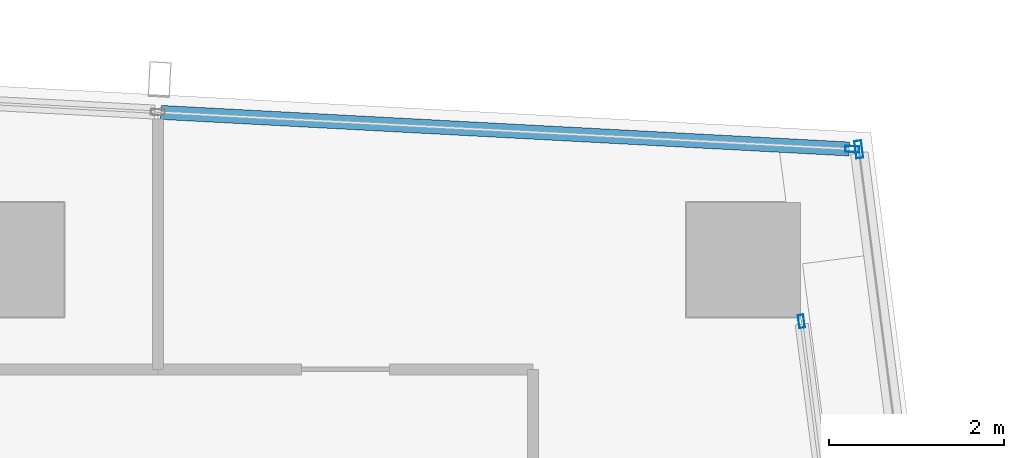
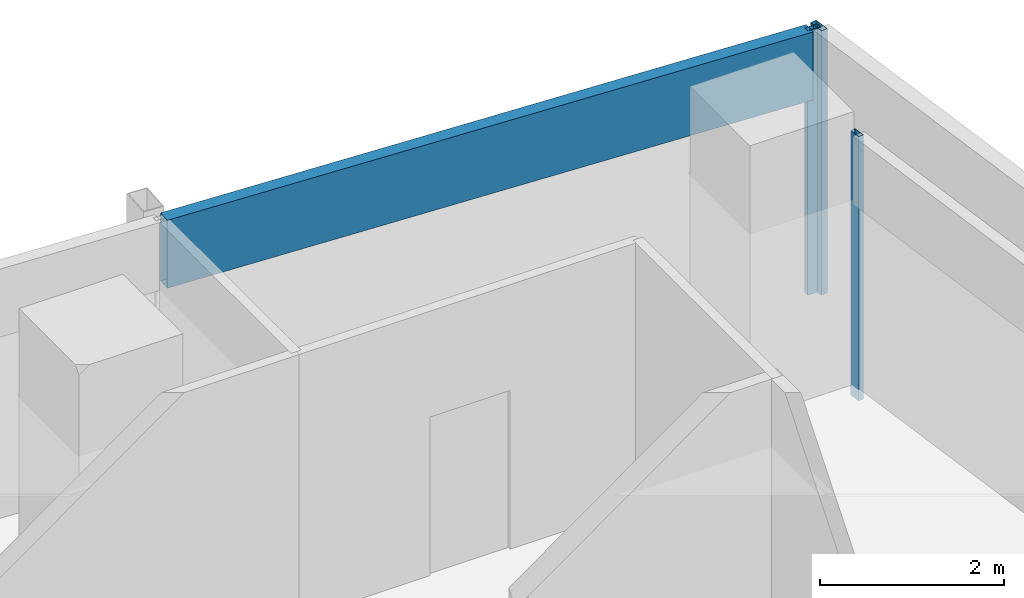
# One storey, part 20 of 30: 4 members, 3 elements without a shape of their own.
"""IFC4 building model written with IfcOpenShell, lengths in metres."""

from ifc_helpers import new_model, si_unit, direction, frame, origin, origin_2d, place, context, subcontext, project, spatial, hollow_rectangle, extrude, material, material_profile, profile_set, type_object, element, aggregate, save


model = new_model("IFC4")

# Units and contexts
model_context = context("Model", 3, precision=1e-05, world=origin(), true_north=direction((0.0, 1.0)))
body_context = subcontext(model_context, "Body", "Model", "MODEL_VIEW")
ifc_project = project(units=[si_unit("LENGTHUNIT", "METRE"), si_unit("AREAUNIT", "SQUARE_METRE"), si_unit("VOLUMEUNIT", "CUBIC_METRE"), si_unit("PLANEANGLEUNIT", "RADIAN"), si_unit("MASSUNIT", "GRAM", prefix="KILO")], contexts=[model_context])

# Site, building, storey
site_placement = place(None, origin())
site = spatial("IfcSite", under=ifc_project, at=site_placement, CompositionType="ELEMENT")
building_placement = place(site_placement, origin())
building = spatial("IfcBuilding", under=site, at=building_placement, Name="Rekha Terrace Tower", CompositionType="ELEMENT")
storey_placement = place(building_placement, frame((0.0, 0.0, 272.60009765625)))
storey = spatial("IfcBuildingStorey", under=building, at=storey_placement, Name="L69", CompositionType="ELEMENT", Elevation=272.60009765625)

# Curtain wall, member
ifc_material_1 = material(Name="Aluminium framing", Category="aluminium")
curtain_wall_type_1 = type_object("IfcCurtainWallType", Name="CW1 double skin inner glazing", PredefinedType="USERDEFINED", material=ifc_material_1)
curtain_wall_1_placement = place(storey_placement, origin())
curtain_wall_1 = element("IfcCurtainWall", 1, at=curtain_wall_1_placement, inside=storey, type_object=curtain_wall_type_1, Name="CW1 double skin inner glazing", ObjectType="DOUBLE SKIN INNER GLAZING", PredefinedType="USERDEFINED")
ifc_material_2 = material(Name="Aluminium mullion section", Category="aluminium")
ifc_material_profile_1 = material_profile(ifc_material_2, hollow_rectangle(XDim=0.06494140625, YDim=0.14990234375, WallThickness=0.00390625, at=origin_2d()), Name="AL RHS 65x150")
ifc_profile_set_1 = profile_set([ifc_material_profile_1], Name="Aluminium mullion section")
member_type_1 = type_object("IfcMemberType", Name="CW1 mullion RHS 65 x 150", PredefinedType="MULLION", material=ifc_profile_set_1)
member_1_placement = place(storey_placement, frame((59.458740234375, 49.6982421875, 0.0), z_axis=(0.0, 0.0, 1.0), x_axis=(-0.991790949472, -0.127869904766, 0.0)))
member_1 = element("IfcMember", 2, at=member_1_placement, type_object=member_type_1, Name="CW1 mullion 2", PredefinedType="MULLION", context=body_context, shape_type="SweptSolid", body=[
    extrude(hollow_rectangle(XDim=0.06494140625, YDim=0.14990234375, WallThickness=0.00390625, at=origin_2d()), origin(), (0.0, 0.0, 1.0), 3.5),
])
aggregate(curtain_wall_1, [member_1])

curtain_wall_type_2 = type_object("IfcCurtainWallType", Name="CW2 double skin outer glazing", PredefinedType="USERDEFINED", material=ifc_material_1)
curtain_wall_2_placement = place(storey_placement, origin())
curtain_wall_2 = element("IfcCurtainWall", 3, at=curtain_wall_2_placement, inside=storey, type_object=curtain_wall_type_2, Name="CW2 double skin outer glazing", ObjectType="DOUBLE SKIN OUTER GLAZING", PredefinedType="USERDEFINED")
ifc_material_profile_2 = material_profile(ifc_material_2, hollow_rectangle(XDim=0.080078125, YDim=0.199951171875, WallThickness=0.00390625, at=origin_2d()), Name="AL RHS 80x200")
ifc_profile_set_2 = profile_set([ifc_material_profile_2], Name="Aluminium mullion section")
member_type_2 = type_object("IfcMemberType", Name="CW2 mullion RHS 80 x 200", PredefinedType="MULLION", material=ifc_profile_set_2)
member_2_placement = place(storey_placement, frame((60.113525390625, 51.65771484375, 0.0), z_axis=(0.0, 0.0, 1.0), x_axis=(-0.991790949459, -0.12786990487, 0.0)))
member_2 = element("IfcMember", 4, at=member_2_placement, type_object=member_type_2, Name="CW2 mullion 2", PredefinedType="MULLION", context=body_context, shape_type="SweptSolid", body=[
    extrude(hollow_rectangle(XDim=0.080078125, YDim=0.199951171875, WallThickness=0.00390625, at=origin_2d()), origin(), (0.0, 0.0, 1.0), 3.5),
])
aggregate(curtain_wall_2, [member_2])

# Curtain wall, members
curtain_wall_type_3 = type_object("IfcCurtainWallType", Name="CW3 north unitised glazing", PredefinedType="USERDEFINED", material=ifc_material_1)
curtain_wall_3_placement = place(storey_placement, origin())
curtain_wall_3 = element("IfcCurtainWall", 5, at=curtain_wall_3_placement, inside=storey, type_object=curtain_wall_type_3, Name="CW3 unitised curtain wall", ObjectType="UNITISED CURTAIN WALL", PredefinedType="USERDEFINED")
ifc_material_profile_3 = material_profile(ifc_material_2, hollow_rectangle(XDim=0.070068359375, YDim=0.159912109375, WallThickness=0.00390625, at=origin_2d()), Name="AL RHS 70x160")
ifc_profile_set_3 = profile_set([ifc_material_profile_3], Name="Aluminium mullion section")
member_type_3 = type_object("IfcMemberType", Name="CW3 mullion RHS 70 x 160", PredefinedType="MULLION", material=ifc_profile_set_3)
member_3_placement = place(storey_placement, frame((60.0380859375, 51.660888671875, 0.0), z_axis=(0.0, 0.0, 1.0), x_axis=(-0.053083275524, -0.998590089005, 0.0)))
member_3 = element("IfcMember", 6, at=member_3_placement, type_object=member_type_3, Name="CW3 mullion 1", PredefinedType="MULLION", context=body_context, shape_type="SweptSolid", body=[
    extrude(hollow_rectangle(XDim=0.070068359375, YDim=0.159912109375, WallThickness=0.00390625, at=origin_2d()), origin(), (0.0, 0.0, 1.0), 3.5),
])
ifc_material_3 = material(Name="Insulated aluminium spandrel box", Category="aluminium")
ifc_material_profile_4 = material_profile(ifc_material_3, hollow_rectangle(XDim=0.159912109375, YDim=0.89990234375, WallThickness=0.0029296875, at=origin_2d()), Name="AL SPANDREL BOX 160x900")
ifc_profile_set_4 = profile_set([ifc_material_profile_4], Name="Insulated aluminium spandrel box")
member_type_4 = type_object("IfcMemberType", Name="CW3 spandrel transom 160 x 900", PredefinedType="USERDEFINED", material=ifc_profile_set_4)
member_4_placement = place(storey_placement, frame((60.003173828125, 51.662841796875, 3.0498046875), z_axis=(-0.99859048353, 0.053075853302, 0.0), x_axis=(-0.053075853302, -0.99859048353, 0.0)))
member_4 = element("IfcMember", 7, at=member_4_placement, type_object=member_type_4, Name="CW3 spandrel transom 1", ObjectType="TRANSOM", PredefinedType="USERDEFINED", context=body_context, shape_type="SweptSolid", body=[
    extrude(hollow_rectangle(XDim=0.159912109375, YDim=0.89990234375, WallThickness=0.0029296875, at=origin_2d()), origin(), (0.0, 0.0, 1.0), 7.8564453125),
])
aggregate(curtain_wall_3, [member_3, member_4])

save(model, "model.ifc")
